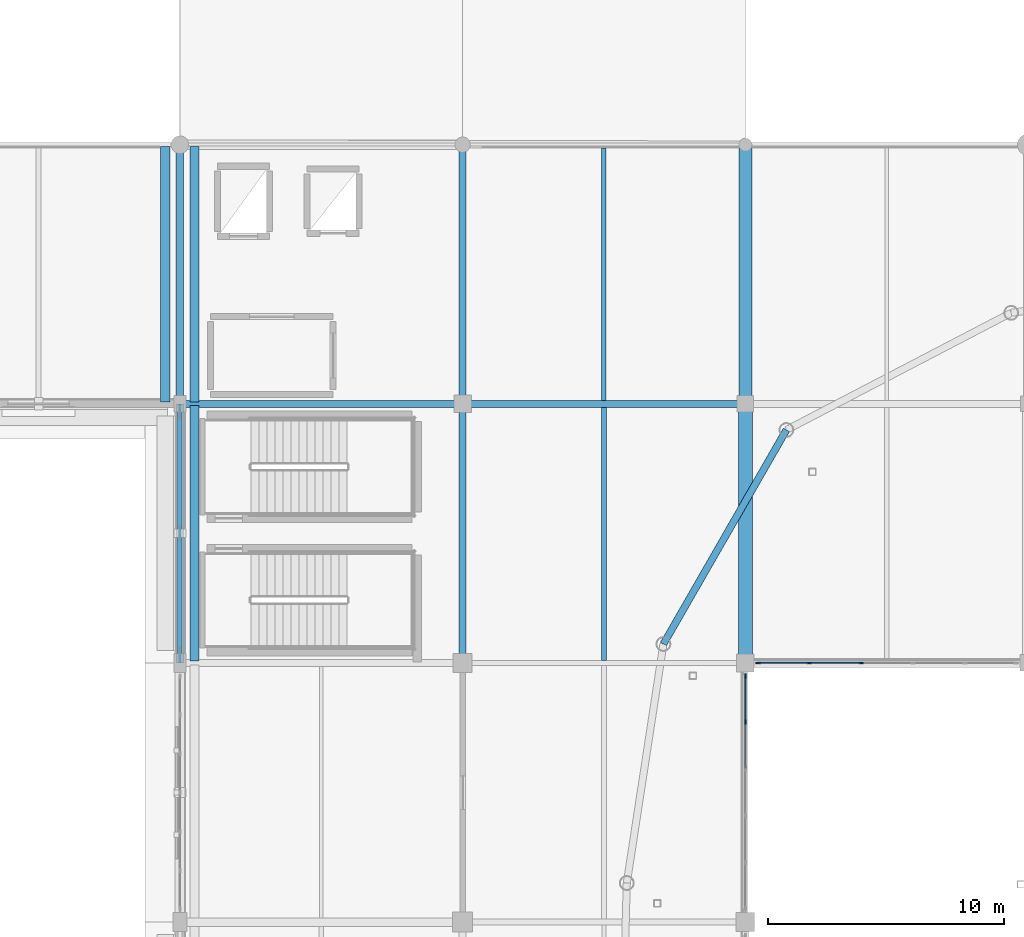
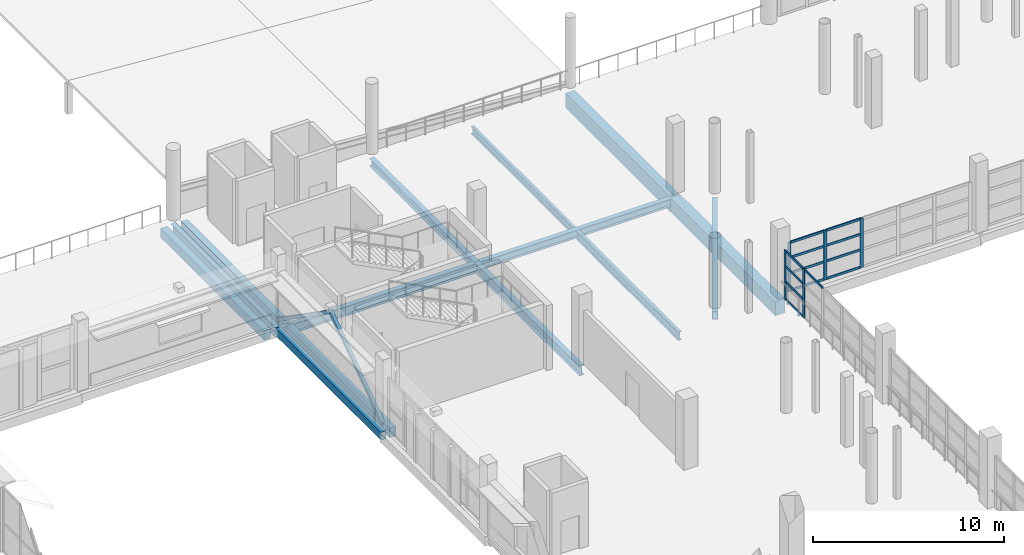
# One storey, part 40 of 118: 20 members, 14 beams, 2 elements without a shape of their own.
"""IFC4 building model written with IfcOpenShell, lengths in metres."""

from ifc_helpers import new_model, si_unit, direction, frame, origin, origin_2d, place, context, subcontext, project, spatial, rectangle, hollow_rectangle, i_section, extrude, material, material_profile, profile_set, type_object, element, aggregate, save


model = new_model("IFC4")

# Units and contexts
model_context = context("Model", 3, precision=1e-05, world=origin(), true_north=direction((0.0, 1.0)))
body_context = subcontext(model_context, "Body", "Model", "MODEL_VIEW")
ifc_project = project(units=[si_unit("LENGTHUNIT", "METRE"), si_unit("AREAUNIT", "SQUARE_METRE"), si_unit("VOLUMEUNIT", "CUBIC_METRE"), si_unit("PLANEANGLEUNIT", "RADIAN"), si_unit("MASSUNIT", "GRAM", prefix="KILO")], contexts=[model_context])

# Site, building, storey
site_placement = place(None, origin())
site = spatial("IfcSite", under=ifc_project, at=site_placement, CompositionType="ELEMENT")
building_placement = place(site_placement, origin())
building = spatial("IfcBuilding", under=site, at=building_placement, Name="Luwafu Chhajja Arena", CompositionType="ELEMENT")
storey_placement = place(building_placement, frame((0.0, 0.0, 10.199951171875)))
storey = spatial("IfcBuildingStorey", under=building, at=storey_placement, Name="L02", CompositionType="ELEMENT", Elevation=10.199951171875)

# Curtain wall, members
ifc_material_1 = material(Name="Anodised bronze aluminium", Category="aluminium")
curtain_wall_type = type_object("IfcCurtainWallType", Name="Hospitality Ring Curtain Wall", PredefinedType="USERDEFINED", material=ifc_material_1)
curtain_wall_1_placement = place(storey_placement, origin())
curtain_wall_1 = element("IfcCurtainWall", 1, at=curtain_wall_1_placement, inside=storey, type_object=curtain_wall_type, Name="L02 Bowl Viewing Curtain Wall CWR-L02-08", ObjectType="CURTAIN WALL", PredefinedType="USERDEFINED")
ifc_material_profile_1 = material_profile(ifc_material_1, rectangle(XDim=0.06494140625, YDim=0.199951171875, at=origin_2d()), Name="CWM 65x200")
ifc_profile_set_1 = profile_set([ifc_material_profile_1], Name="Anodised bronze aluminium")
member_type_1 = type_object("IfcMemberType", Name="Bronze Curtain Wall Mullion 65x200", PredefinedType="MULLION", material=ifc_profile_set_1)
member_1_placement = place(storey_placement, frame((58.547607421875, 77.0, 0.0), z_axis=(0.0, 0.0, 1.0), x_axis=(0.0, 1.0, 0.0)))
member_1 = element("IfcMember", 2, at=member_1_placement, type_object=member_type_1, Name="CW-02 mullion 1", PredefinedType="MULLION", context=body_context, shape_type="SweptSolid", body=[
    extrude(rectangle(XDim=0.06494140625, YDim=0.199951171875, at=origin_2d()), origin(), (0.0, 0.0, 1.0), 3.14013671875),
])
member_2_placement = place(storey_placement, frame((60.714111328125, 77.0, 0.0), z_axis=(0.0, 0.0, 1.0), x_axis=(0.0, 1.0, 0.0)))
member_2 = element("IfcMember", 3, at=member_2_placement, type_object=member_type_1, Name="CW-02 mullion 2", PredefinedType="MULLION", context=body_context, shape_type="SweptSolid", body=[
    extrude(rectangle(XDim=0.06494140625, YDim=0.199951171875, at=origin_2d()), origin(), (0.0, 0.0, 1.0), 3.14013671875),
])
member_3_placement = place(storey_placement, frame((62.9130859375, 77.0, 0.0), z_axis=(0.0, 0.0, 1.0), x_axis=(0.0, 1.0, 0.0)))
member_3 = element("IfcMember", 4, at=member_3_placement, type_object=member_type_1, Name="CW-02 mullion 3", PredefinedType="MULLION", context=body_context, shape_type="SweptSolid", body=[
    extrude(rectangle(XDim=0.06494140625, YDim=0.199951171875, at=origin_2d()), origin(), (0.0, 0.0, 1.0), 3.14013671875),
])

curtain_wall_2_placement = place(storey_placement, origin())
curtain_wall_2 = element("IfcCurtainWall", 5, at=curtain_wall_2_placement, inside=storey, type_object=curtain_wall_type, Name="L02 Bowl Viewing Curtain Wall CWR-L02-19", ObjectType="CURTAIN WALL", PredefinedType="USERDEFINED")
member_4_placement = place(storey_placement, frame((58.0, 74.49609375, 0.0), z_axis=(0.0, 0.0, 1.0), x_axis=(-1.0, 0.0, 0.0)))
member_4 = element("IfcMember", 6, at=member_4_placement, type_object=member_type_1, Name="CW-02 mullion 5", PredefinedType="MULLION", context=body_context, shape_type="SweptSolid", body=[
    extrude(rectangle(XDim=0.06494140625, YDim=0.199951171875, at=origin_2d()), origin(), (0.0, 0.0, 1.0), 3.14013671875),
])
member_5_placement = place(storey_placement, frame((58.0, 76.452392578125, 0.0), z_axis=(0.0, 0.0, 1.0), x_axis=(-1.0, 0.0, 0.0)))
member_5 = element("IfcMember", 7, at=member_5_placement, type_object=member_type_1, Name="CW-02 mullion 6", PredefinedType="MULLION", context=body_context, shape_type="SweptSolid", body=[
    extrude(rectangle(XDim=0.06494140625, YDim=0.199951171875, at=origin_2d()), origin(), (0.0, 0.0, 1.0), 3.14013671875),
])

# Member
ifc_material_profile_2 = material_profile(ifc_material_1, rectangle(XDim=0.06494140625, YDim=0.14990234375, at=origin_2d()), Name="CWT 65x150")
ifc_profile_set_2 = profile_set([ifc_material_profile_2], Name="Anodised bronze aluminium")
member_type_2 = type_object("IfcMemberType", Name="Bronze Curtain Wall Transom 65x150", PredefinedType="USERDEFINED", material=ifc_profile_set_2)
member_6_placement = place(storey_placement, frame((58.580078125, 77.0, 0.032470703125), z_axis=(1.0, 0.0, 0.0), x_axis=(0.0, 1.0, 0.0)))
member_6 = element("IfcMember", 8, at=member_6_placement, type_object=member_type_2, Name="CW-02 transom 1.1", ObjectType="TRANSOM", PredefinedType="USERDEFINED", context=body_context, shape_type="SweptSolid", body=[
    extrude(rectangle(XDim=0.06494140625, YDim=0.14990234375, at=origin_2d()), origin(), (0.0, 0.0, 1.0), 2.101318359375),
])

member_7_placement = place(storey_placement, frame((58.580078125, 77.0, 1.150146484375), z_axis=(1.0, 0.0, 0.0), x_axis=(0.0, 1.0, 0.0)))
member_7 = element("IfcMember", 9, at=member_7_placement, type_object=member_type_2, Name="CW-02 transom 1.2", ObjectType="TRANSOM", PredefinedType="USERDEFINED", context=body_context, shape_type="SweptSolid", body=[
    extrude(rectangle(XDim=0.06494140625, YDim=0.14990234375, at=origin_2d()), origin(), (0.0, 0.0, 1.0), 2.101318359375),
])

member_8_placement = place(storey_placement, frame((58.580078125, 77.0, 2.14501953125), z_axis=(1.0, 0.0, 0.0), x_axis=(0.0, 1.0, 0.0)))
member_8 = element("IfcMember", 10, at=member_8_placement, type_object=member_type_2, Name="CW-02 transom 1.3", ObjectType="TRANSOM", PredefinedType="USERDEFINED", context=body_context, shape_type="SweptSolid", body=[
    extrude(rectangle(XDim=0.06494140625, YDim=0.14990234375, at=origin_2d()), origin(), (0.0, 0.0, 1.0), 2.101318359375),
])

member_9_placement = place(storey_placement, frame((58.580078125, 77.0, 3.107666015625), z_axis=(1.0, 0.0, 0.0), x_axis=(0.0, 1.0, 0.0)))
member_9 = element("IfcMember", 11, at=member_9_placement, type_object=member_type_2, Name="CW-02 transom 1.4", ObjectType="TRANSOM", PredefinedType="USERDEFINED", context=body_context, shape_type="SweptSolid", body=[
    extrude(rectangle(XDim=0.06494140625, YDim=0.14990234375, at=origin_2d()), origin(), (0.0, 0.0, 1.0), 2.101318359375),
])

member_10_placement = place(storey_placement, frame((60.74658203125, 77.0, 0.032470703125), z_axis=(1.0, 0.0, 0.0), x_axis=(0.0, 1.0, 0.0)))
member_10 = element("IfcMember", 12, at=member_10_placement, type_object=member_type_2, Name="CW-02 transom 2.1", ObjectType="TRANSOM", PredefinedType="USERDEFINED", context=body_context, shape_type="SweptSolid", body=[
    extrude(rectangle(XDim=0.06494140625, YDim=0.14990234375, at=origin_2d()), origin(), (0.0, 0.0, 1.0), 2.134033203125),
])

member_11_placement = place(storey_placement, frame((60.74658203125, 77.0, 1.150146484375), z_axis=(1.0, 0.0, 0.0), x_axis=(0.0, 1.0, 0.0)))
member_11 = element("IfcMember", 13, at=member_11_placement, type_object=member_type_2, Name="CW-02 transom 2.2", ObjectType="TRANSOM", PredefinedType="USERDEFINED", context=body_context, shape_type="SweptSolid", body=[
    extrude(rectangle(XDim=0.06494140625, YDim=0.14990234375, at=origin_2d()), origin(), (0.0, 0.0, 1.0), 2.134033203125),
])

member_12_placement = place(storey_placement, frame((60.74658203125, 77.0, 2.14501953125), z_axis=(1.0, 0.0, 0.0), x_axis=(0.0, 1.0, 0.0)))
member_12 = element("IfcMember", 14, at=member_12_placement, type_object=member_type_2, Name="CW-02 transom 2.3", ObjectType="TRANSOM", PredefinedType="USERDEFINED", context=body_context, shape_type="SweptSolid", body=[
    extrude(rectangle(XDim=0.06494140625, YDim=0.14990234375, at=origin_2d()), origin(), (0.0, 0.0, 1.0), 2.134033203125),
])

member_13_placement = place(storey_placement, frame((60.74658203125, 77.0, 3.107666015625), z_axis=(1.0, 0.0, 0.0), x_axis=(0.0, 1.0, 0.0)))
member_13 = element("IfcMember", 15, at=member_13_placement, type_object=member_type_2, Name="CW-02 transom 2.4", ObjectType="TRANSOM", PredefinedType="USERDEFINED", context=body_context, shape_type="SweptSolid", body=[
    extrude(rectangle(XDim=0.06494140625, YDim=0.14990234375, at=origin_2d()), origin(), (0.0, 0.0, 1.0), 2.134033203125),
])

aggregate(curtain_wall_1, [member_1, member_2, member_3, member_6, member_7, member_8, member_9, member_10, member_11, member_12, member_13])

member_14_placement = place(storey_placement, frame((58.0, 72.53955078125, 3.107666015625), z_axis=(0.0, 1.0, 0.0), x_axis=(-1.0, 0.0, 0.0)))
member_14 = element("IfcMember", 16, at=member_14_placement, type_object=member_type_2, Name="CW-02 transom 4.4", ObjectType="TRANSOM", PredefinedType="USERDEFINED", context=body_context, shape_type="SweptSolid", body=[
    extrude(rectangle(XDim=0.06494140625, YDim=0.14990234375, at=origin_2d()), origin(), (0.0, 0.0, 1.0), 1.923828125),
])

member_15_placement = place(storey_placement, frame((58.0, 74.528564453125, 0.032470703125), z_axis=(0.0, 1.0, 0.0), x_axis=(-1.0, 0.0, 0.0)))
member_15 = element("IfcMember", 17, at=member_15_placement, type_object=member_type_2, Name="CW-02 transom 5.1", ObjectType="TRANSOM", PredefinedType="USERDEFINED", context=body_context, shape_type="SweptSolid", body=[
    extrude(rectangle(XDim=0.06494140625, YDim=0.14990234375, at=origin_2d()), origin(), (0.0, 0.0, 1.0), 1.891357421875),
])

member_16_placement = place(storey_placement, frame((58.0, 74.528564453125, 1.150146484375), z_axis=(0.0, 1.0, 0.0), x_axis=(-1.0, 0.0, 0.0)))
member_16 = element("IfcMember", 18, at=member_16_placement, type_object=member_type_2, Name="CW-02 transom 5.2", ObjectType="TRANSOM", PredefinedType="USERDEFINED", context=body_context, shape_type="SweptSolid", body=[
    extrude(rectangle(XDim=0.06494140625, YDim=0.14990234375, at=origin_2d()), origin(), (0.0, 0.0, 1.0), 1.891357421875),
])

member_17_placement = place(storey_placement, frame((58.0, 74.528564453125, 2.14501953125), z_axis=(0.0, 1.0, 0.0), x_axis=(-1.0, 0.0, 0.0)))
member_17 = element("IfcMember", 19, at=member_17_placement, type_object=member_type_2, Name="CW-02 transom 5.3", ObjectType="TRANSOM", PredefinedType="USERDEFINED", context=body_context, shape_type="SweptSolid", body=[
    extrude(rectangle(XDim=0.06494140625, YDim=0.14990234375, at=origin_2d()), origin(), (0.0, 0.0, 1.0), 1.891357421875),
])

member_18_placement = place(storey_placement, frame((58.0, 74.528564453125, 3.107666015625), z_axis=(0.0, 1.0, 0.0), x_axis=(-1.0, 0.0, 0.0)))
member_18 = element("IfcMember", 20, at=member_18_placement, type_object=member_type_2, Name="CW-02 transom 5.4", ObjectType="TRANSOM", PredefinedType="USERDEFINED", context=body_context, shape_type="SweptSolid", body=[
    extrude(rectangle(XDim=0.06494140625, YDim=0.14990234375, at=origin_2d()), origin(), (0.0, 0.0, 1.0), 1.891357421875),
])

aggregate(curtain_wall_2, [member_4, member_5, member_14, member_15, member_16, member_17, member_18])

# Beams
ifc_material_2 = material(Name="Concrete C35/45", Category="concrete")
ifc_material_profile_3 = material_profile(ifc_material_2, rectangle(XDim=0.60009765625, YDim=0.89990234375, at=origin_2d()), Name="RC 600x900")
ifc_profile_set_3 = profile_set([ifc_material_profile_3], Name="Concrete C35/45")
beam_type_1 = type_object("IfcBeamType", Name="Concourse Primary Girder RC 600x900", PredefinedType="BEAM", material=ifc_profile_set_3)
beam_1_placement = place(storey_placement, frame((58.0, 77.0, -0.83984375), z_axis=(0.0, 1.0, 0.0), x_axis=(-1.0, 0.0, 0.0)))
element("IfcBeam", 21, at=beam_1_placement, inside=storey, type_object=beam_type_1, Name="L02 Grid Beam 6/H-J", PredefinedType="BEAM", context=body_context, shape_type="SweptSolid", body=[
    extrude(rectangle(XDim=0.60009765625, YDim=0.89990234375, at=origin_2d()), origin(), (0.0, 0.0, 1.0), 11.0),
])
ifc_material_profile_4 = material_profile(ifc_material_2, rectangle(XDim=0.550048828125, YDim=0.949951171875, at=origin_2d()), Name="RC 550x950")
ifc_profile_set_4 = profile_set([ifc_material_profile_4], Name="Concrete C35/45")
beam_type_2 = type_object("IfcBeamType", Name="Concourse Radial Girder RC 550x950", PredefinedType="BEAM", material=ifc_profile_set_4)
beam_2_placement = place(storey_placement, frame((58.0, 88.0, -0.864990234375), z_axis=(0.0, 1.0, 0.0), x_axis=(-1.0, 0.0, 0.0)))
element("IfcBeam", 22, at=beam_2_placement, inside=storey, type_object=beam_type_2, Name="L02 Grid Beam 6/J-K", PredefinedType="BEAM", context=body_context, shape_type="SweptSolid", body=[
    extrude(rectangle(XDim=0.550048828125, YDim=0.949951171875, at=origin_2d()), origin(), (0.0, 0.0, 1.0), 11.0),
])
ifc_material_3 = material(Name="Steel S355", Category="steel")
ifc_material_profile_5 = material_profile(ifc_material_3, i_section(OverallWidth=0.19140625, OverallDepth=0.4599609375, WebThickness=0.010009765625, FlangeThickness=0.01611328125, at=origin_2d()), Name="UB 457x191x82")
ifc_profile_set_5 = profile_set([ifc_material_profile_5], Name="Steel S355")
beam_type_3 = type_object("IfcBeamType", Name="Floor Joist UB 457x191x82", PredefinedType="JOIST", material=ifc_profile_set_5)
beam_3_placement = place(storey_placement, frame((52.0, 88.14990234375, -0.619873046875), z_axis=(0.0, 1.0, 0.0), x_axis=(-1.0, 0.0, 0.0)))
element("IfcBeam", 23, at=beam_3_placement, inside=storey, type_object=beam_type_3, Name="L02 Secondary Joist 5-6/J", PredefinedType="JOIST", context=body_context, shape_type="SweptSolid", body=[
    extrude(i_section(OverallWidth=0.19140625, OverallDepth=0.4599609375, WebThickness=0.010009765625, FlangeThickness=0.01611328125, at=origin_2d()), origin(), (0.0, 0.0, 1.0), 10.7001953125),
])
ifc_material_profile_6 = material_profile(ifc_material_3, i_section(OverallWidth=0.209228515625, OverallDepth=0.533203125, WebThickness=0.010009765625, FlangeThickness=0.015625, at=origin_2d()), Name="UB 533x210x92")
ifc_profile_set_6 = profile_set([ifc_material_profile_6], Name="Steel S355")
beam_type_4 = type_object("IfcBeamType", Name="Floor Joist UB 533x210x92", PredefinedType="JOIST", material=ifc_profile_set_6)
beam_4_placement = place(storey_placement, frame((52.0, 77.114501953125, -0.656494140625), z_axis=(0.0, 1.0, 0.0), x_axis=(-1.0, 0.0, 0.0)))
element("IfcBeam", 24, at=beam_4_placement, inside=storey, type_object=beam_type_4, Name="L02 Secondary Joist 5-6/H", PredefinedType="JOIST", context=body_context, shape_type="SweptSolid", body=[
    extrude(i_section(OverallWidth=0.209228515625, OverallDepth=0.533203125, WebThickness=0.010009765625, FlangeThickness=0.015625, at=origin_2d()), origin(), (0.0, 0.0, 1.0), 10.735595703125),
])

# Members
ifc_material_profile_7 = material_profile(ifc_material_3, hollow_rectangle(XDim=0.199951171875, YDim=0.199951171875, WallThickness=0.010009765625, at=origin_2d()), Name="SHS 200x200x10")
ifc_profile_set_7 = profile_set([ifc_material_profile_7], Name="Steel S355")
member_type_3 = type_object("IfcMemberType", Name="Gallery Tie Brace SHS 200", PredefinedType="BRACE", material=ifc_profile_set_7)
for number, where, z_axis, x_axis, name in (
    (25, (34.0, 77.0, 0.1201171875), (0.0, 0.820164696572, 0.572127494967), (-1.0, 0.0, 0.0), "L02 Lateral Chevron Brace 14A"),
    (26, (34.0, 88.0, 0.1201171875), (0.0, -0.820164696572, 0.572127494967), (1.0, 0.0, 0.0), "L02 Lateral Chevron Brace 14B"),
):
    element("IfcMember", number, at=place(storey_placement, frame(where, z_axis=z_axis, x_axis=x_axis)), inside=storey, type_object=member_type_3, Name=name, PredefinedType="BRACE", context=body_context, shape_type="SweptSolid", body=[
        extrude(hollow_rectangle(XDim=0.199951171875, YDim=0.199951171875, WallThickness=0.010009765625, at=origin_2d()), origin(), (0.0, 0.0, 1.0), 6.7060546875),
    ])

# Beams
ifc_material_profile_8 = material_profile(ifc_material_3, hollow_rectangle(XDim=0.300048828125, YDim=0.5, WallThickness=0.02001953125, at=origin_2d()), Name="RHS 500x300x20")
ifc_profile_set_8 = profile_set([ifc_material_profile_8], Name="Steel S355")
beam_type_5 = type_object("IfcBeamType", Name="Pleated Drum Spandrel Beam RHS 500x300", PredefinedType="SPANDREL", material=ifc_profile_set_8)
beam_5_placement = place(storey_placement, frame((34.0, 77.0, -0.639892578125), z_axis=(0.0, 1.0, 0.0), x_axis=(-1.0, 0.0, 0.0)))
element("IfcBeam", 27, at=beam_5_placement, inside=storey, type_object=beam_type_5, Name="L02 Grid Beam 4/H-J", PredefinedType="SPANDREL", context=body_context, shape_type="SweptSolid", body=[
    extrude(hollow_rectangle(XDim=0.300048828125, YDim=0.5, WallThickness=0.02001953125, at=origin_2d()), origin(), (0.0, 0.0, 1.0), 11.0),
])
beam_6_placement = place(storey_placement, frame((59.743896484375, 86.890869140625, -0.639892578125), z_axis=(-0.498192671921, -0.867066353657, 0.0), x_axis=(0.867066353657, -0.498192671921, 0.0)))
element("IfcBeam", 28, at=beam_6_placement, inside=storey, type_object=beam_type_5, Name="L02 Drum Ring Spandrel D13-D14", PredefinedType="SPANDREL", context=body_context, shape_type="SweptSolid", body=[
    extrude(hollow_rectangle(XDim=0.300048828125, YDim=0.5, WallThickness=0.02001953125, at=origin_2d()), origin(), (0.0, 0.0, 1.0), 10.477783203125),
])
ifc_material_profile_9 = material_profile(ifc_material_2, rectangle(XDim=0.39990234375, YDim=0.60009765625, at=origin_2d()), Name="RC 400x600")
ifc_profile_set_9 = profile_set([ifc_material_profile_9], Name="Concrete C35/45")
beam_type_6 = type_object("IfcBeamType", Name="Podium Perimeter Spandrel RC 400x600", PredefinedType="SPANDREL", material=ifc_profile_set_9)
for number, where, z_axis, x_axis, name in (
    (29, (33.3798828125, 88.080078125, -0.68994140625), (0.0, 1.0, 0.0), (-1.0, 0.0, 0.0), "L02 Movement Joint MJ1W Seat Girder 08"),
    (30, (34.6201171875, 77.080078125, -0.68994140625), (0.0, 1.0, 0.0), (-1.0, 0.0, 0.0), "L02 Movement Joint MJ1E Seat Girder 07"),
    (31, (34.6201171875, 88.080078125, -0.68994140625), (0.0, 1.0, 0.0), (-1.0, 0.0, 0.0), "L02 Movement Joint MJ1E Seat Girder 08"),
):
    element("IfcBeam", number, at=place(storey_placement, frame(where, z_axis=z_axis, x_axis=x_axis)), inside=storey, type_object=beam_type_6, Name=name, PredefinedType="SPANDREL", context=body_context, shape_type="SweptSolid", body=[
        extrude(rectangle(XDim=0.39990234375, YDim=0.60009765625, at=origin_2d()), origin(), (0.0, 0.0, 1.0), 10.83984375),
    ])
ifc_material_profile_10 = material_profile(ifc_material_3, i_section(OverallWidth=0.300048828125, OverallDepth=0.5, WebThickness=0.014404296875, FlangeThickness=0.028076171875, at=origin_2d()), Name="HEB 500")
ifc_profile_set_10 = profile_set([ifc_material_profile_10], Name="Steel S355")
beam_type_7 = type_object("IfcBeamType", Name="Steel Atrium Tie Girder HEB 500", PredefinedType="BEAM", material=ifc_profile_set_10)
beam_7_placement = place(storey_placement, frame((46.0, 88.0, -0.639892578125), z_axis=(1.0, 0.0, 0.0), x_axis=(0.0, 1.0, 0.0)))
element("IfcBeam", 32, at=beam_7_placement, inside=storey, type_object=beam_type_7, Name="L02 Grid Beam 5-6/J", PredefinedType="BEAM", context=body_context, shape_type="SweptSolid", body=[
    extrude(i_section(OverallWidth=0.300048828125, OverallDepth=0.5, WebThickness=0.014404296875, FlangeThickness=0.028076171875, at=origin_2d()), origin(), (0.0, 0.0, 1.0), 12.0),
])
beam_8_placement = place(storey_placement, frame((46.0, 88.0, -0.639892578125), z_axis=(0.0, 1.0, 0.0), x_axis=(-1.0, 0.0, 0.0)))
element("IfcBeam", 33, at=beam_8_placement, inside=storey, type_object=beam_type_7, Name="L02 Grid Beam 5/J-K", PredefinedType="BEAM", context=body_context, shape_type="SweptSolid", body=[
    extrude(i_section(OverallWidth=0.300048828125, OverallDepth=0.5, WebThickness=0.014404296875, FlangeThickness=0.028076171875, at=origin_2d()), origin(), (0.0, 0.0, 1.0), 11.0),
])
ifc_material_profile_11 = material_profile(ifc_material_3, i_section(OverallWidth=0.300048828125, OverallDepth=0.60009765625, WebThickness=0.015380859375, FlangeThickness=0.030029296875, at=origin_2d()), Name="HEB 600")
ifc_profile_set_11 = profile_set([ifc_material_profile_11], Name="Steel S355")
beam_type_8 = type_object("IfcBeamType", Name="Steel Gallery Girder HEB 600", PredefinedType="BEAM", material=ifc_profile_set_11)
beam_9_placement = place(storey_placement, frame((34.0, 88.0, -0.68994140625), z_axis=(1.0, 0.0, 0.0), x_axis=(0.0, 1.0, 0.0)))
element("IfcBeam", 34, at=beam_9_placement, inside=storey, type_object=beam_type_8, Name="L02 Grid Beam 4-5/J", PredefinedType="BEAM", context=body_context, shape_type="SweptSolid", body=[
    extrude(i_section(OverallWidth=0.300048828125, OverallDepth=0.60009765625, WebThickness=0.015380859375, FlangeThickness=0.030029296875, at=origin_2d()), origin(), (0.0, 0.0, 1.0), 12.0),
])
beam_10_placement = place(storey_placement, frame((46.0, 77.0, -0.68994140625), z_axis=(0.0, 1.0, 0.0), x_axis=(-1.0, 0.0, 0.0)))
element("IfcBeam", 35, at=beam_10_placement, inside=storey, type_object=beam_type_8, Name="L02 Grid Beam 5/H-J", PredefinedType="BEAM", context=body_context, shape_type="SweptSolid", body=[
    extrude(i_section(OverallWidth=0.300048828125, OverallDepth=0.60009765625, WebThickness=0.015380859375, FlangeThickness=0.030029296875, at=origin_2d()), origin(), (0.0, 0.0, 1.0), 11.0),
])
ifc_material_profile_12 = material_profile(ifc_material_3, i_section(OverallWidth=0.30712890625, OverallDepth=0.6201171875, WebThickness=0.01416015625, FlangeThickness=0.023681640625, at=origin_2d()), Name="UB 610x305x179")
ifc_profile_set_12 = profile_set([ifc_material_profile_12], Name="Steel S355")
beam_type_9 = type_object("IfcBeamType", Name="Steel Hospitality Girder UB 610x305x179", PredefinedType="BEAM", material=ifc_profile_set_12)
beam_11_placement = place(storey_placement, frame((34.0, 88.0, -0.699951171875), z_axis=(0.0, 1.0, 0.0), x_axis=(-1.0, 0.0, 0.0)))
element("IfcBeam", 36, at=beam_11_placement, inside=storey, type_object=beam_type_9, Name="L02 Grid Beam 4/J-K", PredefinedType="BEAM", context=body_context, shape_type="SweptSolid", body=[
    extrude(i_section(OverallWidth=0.30712890625, OverallDepth=0.6201171875, WebThickness=0.01416015625, FlangeThickness=0.023681640625, at=origin_2d()), origin(), (0.0, 0.0, 1.0), 11.0),
])

save(model, "model.ifc")
